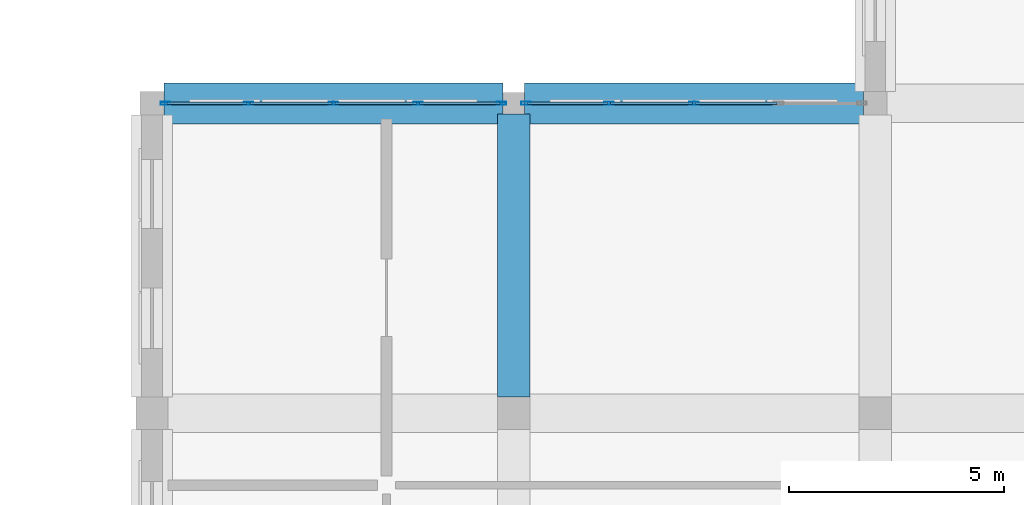
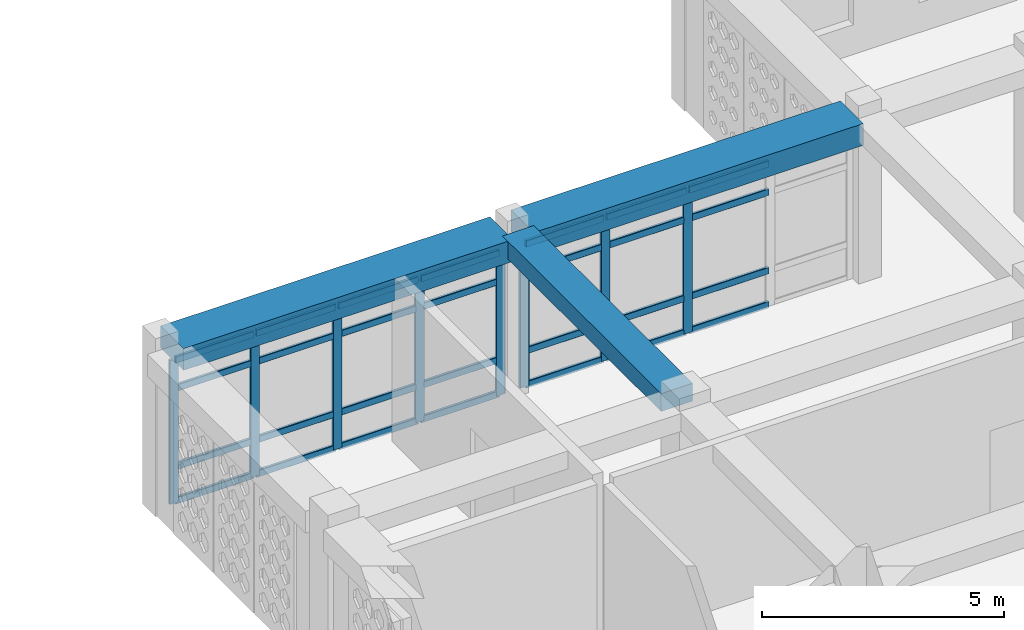
# One storey, part 41 of 121: 36 members, 3 beams, 2 elements without a shape of their own.
"""IFC4 building model written with IfcOpenShell, lengths in metres."""

import ifcopenshell
import ifcopenshell.guid

model = None  # the IFC model being written
_history = None  # IfcOwnerHistory: only IFC2X3 demands one
_inside = {}  # id of a spatial element -> (the spatial element, [elements in it])
_under = {}  # id of a project, library or spatial element -> (it, [spatial elements below it])
_declared = {}  # id of a project -> (the project, [libraries it declares])
_typed = {}  # id of a type object -> (the type object, [elements of that type])
_made_of = {}  # id of a material, layer set ... -> (it, [elements and type objects made of it])


def new_model(schema):
    """Start an empty IFC model of exactly this schema.

    Asked for "IFC4X3", IfcOpenShell would pick the latest addendum, in which some entities
    have other attributes; the version numbers below select the first issue.
    IFC2X3 requires an IfcOwnerHistory on every rooted entity: one is made here for all.
    """
    global model, _history
    if schema == "IFC4X3":
        model = ifcopenshell.file(schema_version=(4, 3, 0, 0))
    else:
        model = ifcopenshell.file(schema=schema)
    _inside.clear()
    _under.clear()
    _declared.clear()
    _typed.clear()
    _made_of.clear()
    _history = None
    if model.schema == "IFC2X3":
        org = make("IfcOrganization", Name="unknown")
        user = make(
            "IfcPersonAndOrganization",
            ThePerson=make("IfcPerson", FamilyName="unknown"),
            TheOrganization=org,
        )
        app = make(
            "IfcApplication",
            ApplicationDeveloper=org,
            Version="unknown",
            ApplicationFullName="unknown",
            ApplicationIdentifier="unknown",
        )
        _history = make(
            "IfcOwnerHistory",
            OwningUser=user,
            OwningApplication=app,
            ChangeAction="ADDED",
            CreationDate=0,
        )
    return model


def make(cls, **values):
    """One entity of the class cls with the attributes given. An attribute that is None is left unset."""
    return model.create_entity(
        cls, **{name: value for name, value in values.items() if value is not None}
    )


def rooted(cls, **values):
    """An entity with a GlobalId (a new one), such as an element, a storey or a relation."""
    return make(cls, GlobalId=ifcopenshell.guid.new(), OwnerHistory=_history, **values)


def si_unit(unit_type, name, prefix=None):
    """IfcSIUnit, for example si_unit("LENGTHUNIT", "METRE", prefix="MILLI")."""
    return make("IfcSIUnit", UnitType=unit_type, Prefix=prefix, Name=name)


def derived_unit(unit_type, elements):
    """IfcDerivedUnit: a product of units, each with its exponent."""
    return make(
        "IfcDerivedUnit",
        Elements=[
            make("IfcDerivedUnitElement", Unit=unit, Exponent=power)
            for unit, power in elements
        ],
        UnitType=unit_type,
    )


def assignment(units):
    """IfcUnitAssignment: the units of a project."""
    return None if units is None else make("IfcUnitAssignment", Units=units)


def point(xyz):
    """IfcCartesianPoint."""
    return None if xyz is None else make("IfcCartesianPoint", Coordinates=xyz)


def direction(xyz):
    """IfcDirection."""
    return None if xyz is None else make("IfcDirection", DirectionRatios=xyz)


def frame(location, z_axis=None, x_axis=None):
    """IfcAxis2Placement3D, a coordinate frame: its origin and axes. An axis left out is left unset."""
    return make(
        "IfcAxis2Placement3D",
        Location=point(location),
        Axis=direction(z_axis),
        RefDirection=direction(x_axis),
    )


def frame_2d(location, x_axis=None):
    """IfcAxis2Placement2D, a coordinate frame in the plane: its origin and x axis."""
    return make(
        "IfcAxis2Placement2D", Location=point(location), RefDirection=direction(x_axis)
    )


def origin():
    """The frame at (0, 0, 0) with its axes left unset."""
    return frame((0.0, 0.0, 0.0))


def origin_2d():
    """The frame at (0, 0) in the plane with its x axis left unset."""
    return frame_2d((0.0, 0.0))


def place(relative_to, where):
    """IfcLocalPlacement: puts the frame where relative to a parent placement (None: the world)."""
    return make(
        "IfcLocalPlacement", PlacementRelTo=relative_to, RelativePlacement=where
    )


def context(
    kind, dimensions, precision=None, world=None, true_north=None, identifier=None
):
    """IfcGeometricRepresentationContext, for example the 3D "Model" context."""
    return make(
        "IfcGeometricRepresentationContext",
        ContextIdentifier=identifier,
        ContextType=kind,
        CoordinateSpaceDimension=dimensions,
        Precision=precision,
        WorldCoordinateSystem=world,
        TrueNorth=true_north,
    )


def subcontext(parent, identifier, kind, view, scale=None):
    """IfcGeometricRepresentationSubContext, for example "Body" below "Model"."""
    return make(
        "IfcGeometricRepresentationSubContext",
        ContextIdentifier=identifier,
        ContextType=kind,
        ParentContext=parent,
        TargetScale=scale,
        TargetView=view,
    )


def project(units=None, contexts=None):
    """IfcProject with its units and contexts."""
    return rooted(
        "IfcProject",
        Name="project",
        RepresentationContexts=contexts,
        UnitsInContext=assignment(units),
    )


def spatial(cls, under=None, at=None, **own):
    """A site, building, storey or space (cls), placed at a placement, below another one or the project."""
    s = rooted(cls, ObjectPlacement=at, **own)
    if under is not None:
        _under.setdefault(under.id(), (under, []))[1].append(s)
    return s


def profile(cls, at=None, kind="AREA", **sizes):
    """A parametric profile (cls). Its sizes go by their IFC names, for example OverallWidth=200.0."""
    return make(cls, ProfileType=kind, Position=at, **sizes)


def rectangle(**sizes):
    """IfcRectangleProfileDef."""
    return profile("IfcRectangleProfileDef", **sizes)


def hollow_rectangle(**sizes):
    """IfcRectangleHollowProfileDef."""
    return profile("IfcRectangleHollowProfileDef", **sizes)


def extrude(swept, where, along, depth):
    """IfcExtrudedAreaSolid: the profile swept, set in the frame where, extruded along a direction by depth."""
    return make(
        "IfcExtrudedAreaSolid",
        SweptArea=swept,
        Position=where,
        ExtrudedDirection=direction(along),
        Depth=depth,
    )


def shape(context_of_items, identifier, shape_type, items):
    """IfcShapeRepresentation: the items that make up one representation, for example the "Body"."""
    return make(
        "IfcShapeRepresentation",
        ContextOfItems=context_of_items,
        RepresentationIdentifier=identifier,
        RepresentationType=shape_type,
        Items=items,
    )


def material(Name=None, Category=None):
    """IfcMaterial."""
    return make("IfcMaterial", Name=Name, Category=Category)


def material_profile(
    of_material, cross_section, Name=None, Category=None, Priority=None
):
    """IfcMaterialProfile: a cross section and its material."""
    return make(
        "IfcMaterialProfile",
        Name=Name,
        Material=of_material,
        Profile=cross_section,
        Priority=Priority,
        Category=Category,
    )


def profile_set(profiles, Name=None, composite=None):
    """IfcMaterialProfileSet."""
    return make(
        "IfcMaterialProfileSet",
        Name=Name,
        MaterialProfiles=profiles,
        CompositeProfile=composite,
    )


def made_of(thing, what):
    """Note that an element or type object is made of a material, layer set ...; save() writes the relation."""
    if what is not None:
        _made_of.setdefault(what.id(), (what, []))[1].append(thing)
    return thing


def type_object(cls, material=None, **own):
    """A type object (cls), such as IfcWallType, which elements share."""
    return made_of(rooted(cls, **own), material)


def element(
    cls,
    number,
    at=None,
    inside=None,
    cuts=None,
    type_object=None,
    material=None,
    context=None,
    identifier="Body",
    shape_type=None,
    held_by="IfcProductDefinitionShape",
    body=None,
    shapes=None,
    **own,
):
    """One element of the class cls, such as IfcWall. Its Tag is "e" and its number.

    at: its placement. inside: the storey or other place that contains it. cuts: it is an
    opening in that element (IfcRelVoidsElement). A single representation is given by context,
    identifier, shape_type and body (its items); several are given by shapes. held_by: the class
    of the entity that holds the representations. save() writes the other relations.
    """
    e = rooted(cls, Tag="e%d" % number, ObjectPlacement=at, **own)
    if body is not None:
        shapes = [shape(context, identifier, shape_type, body)]
    if shapes is not None:
        e.Representation = make(held_by, Representations=shapes)
    if inside is not None:
        _inside.setdefault(inside.id(), (inside, []))[1].append(e)
    if cuts is not None:
        rooted(
            "IfcRelVoidsElement", RelatingBuildingElement=cuts, RelatedOpeningElement=e
        )
    if type_object is not None:
        _typed.setdefault(type_object.id(), (type_object, []))[1].append(e)
    return made_of(e, material)


def aggregate(whole, parts):
    """IfcRelAggregates: a whole, such as a stair, and the parts it consists of."""
    return rooted("IfcRelAggregates", RelatingObject=whole, RelatedObjects=parts)


def save(model, path):
    """Write the relations noted so far, then the file.

    IfcRelAggregates (storeys below a building ...), IfcRelContainedInSpatialStructure (elements
    in a storey), IfcRelDefinesByType, IfcRelAssociatesMaterial and IfcRelDeclares: one each for
    every whole, place, type object, material and project.
    """
    for whole, parts in _under.values():
        aggregate(whole, parts)
    for where, things in _inside.values():
        rooted(
            "IfcRelContainedInSpatialStructure",
            RelatedElements=things,
            RelatingStructure=where,
        )
    for kind, things in _typed.values():
        rooted("IfcRelDefinesByType", RelatedObjects=things, RelatingType=kind)
    for what, things in _made_of.values():
        rooted("IfcRelAssociatesMaterial", RelatedObjects=things, RelatingMaterial=what)
    for by, libraries in _declared.values():
        rooted("IfcRelDeclares", RelatingContext=by, RelatedDefinitions=libraries)
    model.write(path)


model = new_model("IFC4")

# Units and contexts
model_context = context("Model", 3, precision=1e-05, world=origin(), true_north=direction((0.0, 1.0)))
body_context = subcontext(model_context, "Body", "Model", "MODEL_VIEW")
ifc_project = project(units=[si_unit("LENGTHUNIT", "METRE"), si_unit("AREAUNIT", "SQUARE_METRE"), si_unit("VOLUMEUNIT", "CUBIC_METRE"), si_unit("PLANEANGLEUNIT", "RADIAN"), si_unit("MASSUNIT", "GRAM", prefix="KILO"), derived_unit("THERMALTRANSMITTANCEUNIT", [(si_unit("POWERUNIT", "WATT"), 1), (si_unit("LENGTHUNIT", "METRE"), -2), (si_unit("THERMODYNAMICTEMPERATUREUNIT", "KELVIN"), -1)])], contexts=[model_context])

# Site, building, storey
site_placement = place(None, origin())
site = spatial("IfcSite", under=ifc_project, at=site_placement, CompositionType="ELEMENT")
building_placement = place(site_placement, origin())
building = spatial("IfcBuilding", under=site, at=building_placement, Name="Veybourne Emporium", CompositionType="ELEMENT")
storey_placement = place(building_placement, frame((0.0, 0.0, 5.39990234375)))
storey = spatial("IfcBuildingStorey", under=building, at=storey_placement, Name="L01", CompositionType="ELEMENT", Elevation=5.39990234375)

# Curtain wall, members
ifc_material_1 = material(Name="Patinated Architectural Bronze", Category="bronze")
curtain_wall_type_1 = type_object("IfcCurtainWallType", Name="CWSystem_CWS-05", PredefinedType="NOTDEFINED", material=ifc_material_1)
curtain_wall_1_placement = place(storey_placement, origin())
curtain_wall_1 = element("IfcCurtainWall", 1, at=curtain_wall_1_placement, inside=storey, type_object=curtain_wall_type_1, Name="L01 bronze glazed curtain wall CWS-05 (027)", PredefinedType="NOTDEFINED")
ifc_material_profile_1 = material_profile(ifc_material_1, hollow_rectangle(XDim=0.072021484375, YDim=0.22509765625, WallThickness=0.0048828125, InnerFilletRadius=0.007568359375, OuterFilletRadius=0.012451171875, at=origin_2d()), Name="CWM 72x225x5")
ifc_profile_set_1 = profile_set([ifc_material_profile_1], Name="Patinated Architectural Bronze")
member_type_1 = type_object("IfcMemberType", Name="CWMullion_CW-M1", PredefinedType="MULLION", material=ifc_profile_set_1)
member_1_placement = place(storey_placement, frame((42.285888671875, 108.0, 0.0), z_axis=(0.0, 0.0, 1.0), x_axis=(0.0, 1.0, 0.0)))
member_1 = element("IfcMember", 2, at=member_1_placement, type_object=member_type_1, Name="CWS-05 mullion 1", PredefinedType="MULLION", context=body_context, shape_type="SweptSolid", body=[
    extrude(hollow_rectangle(XDim=0.072021484375, YDim=0.22509765625, WallThickness=0.0048828125, InnerFilletRadius=0.007568359375, OuterFilletRadius=0.012451171875, at=origin_2d()), origin(), (0.0, 0.0, 1.0), 3.630126953125),
])
member_2_placement = place(storey_placement, frame((44.21875, 108.0, 0.0), z_axis=(0.0, 0.0, 1.0), x_axis=(0.0, 1.0, 0.0)))
member_2 = element("IfcMember", 3, at=member_2_placement, type_object=member_type_1, Name="CWS-05 mullion 2", PredefinedType="MULLION", context=body_context, shape_type="SweptSolid", body=[
    extrude(hollow_rectangle(XDim=0.072021484375, YDim=0.22509765625, WallThickness=0.0048828125, InnerFilletRadius=0.007568359375, OuterFilletRadius=0.012451171875, at=origin_2d()), origin(), (0.0, 0.0, 1.0), 3.630126953125),
])
member_3_placement = place(storey_placement, frame((46.1875, 108.0, 0.0), z_axis=(0.0, 0.0, 1.0), x_axis=(0.0, 1.0, 0.0)))
member_3 = element("IfcMember", 4, at=member_3_placement, type_object=member_type_1, Name="CWS-05 mullion 3", PredefinedType="MULLION", context=body_context, shape_type="SweptSolid", body=[
    extrude(hollow_rectangle(XDim=0.072021484375, YDim=0.22509765625, WallThickness=0.0048828125, InnerFilletRadius=0.007568359375, OuterFilletRadius=0.012451171875, at=origin_2d()), origin(), (0.0, 0.0, 1.0), 3.630126953125),
])

curtain_wall_type_2 = type_object("IfcCurtainWallType", Name="CWSystem_CWS-04", PredefinedType="NOTDEFINED", material=ifc_material_1)
curtain_wall_2_placement = place(storey_placement, origin())
curtain_wall_2 = element("IfcCurtainWall", 5, at=curtain_wall_2_placement, inside=storey, type_object=curtain_wall_type_2, Name="L01 bronze glazed curtain wall CWS-04 (024)", PredefinedType="NOTDEFINED")
ifc_material_profile_2 = material_profile(ifc_material_1, hollow_rectangle(XDim=0.070068359375, YDim=0.219970703125, WallThickness=0.0048828125, InnerFilletRadius=0.007568359375, OuterFilletRadius=0.012451171875, at=origin_2d()), Name="CWM 70x220x5")
ifc_profile_set_2 = profile_set([ifc_material_profile_2], Name="Patinated Architectural Bronze")
member_type_2 = type_object("IfcMemberType", Name="CWMullion_CW-M4", PredefinedType="MULLION", material=ifc_profile_set_2)
member_4_placement = place(storey_placement, frame((33.909912109375, 108.0, 0.0), z_axis=(0.0, 0.0, 1.0), x_axis=(0.0, 1.0, 0.0)))
member_4 = element("IfcMember", 6, at=member_4_placement, type_object=member_type_2, Name="CWS-04 mullion 1", PredefinedType="MULLION", context=body_context, shape_type="SweptSolid", body=[
    extrude(hollow_rectangle(XDim=0.070068359375, YDim=0.219970703125, WallThickness=0.0048828125, InnerFilletRadius=0.007568359375, OuterFilletRadius=0.012451171875, at=origin_2d()), origin(), (0.0, 0.0, 1.0), 3.630126953125),
])
member_5_placement = place(storey_placement, frame((35.84375, 108.0, 0.0), z_axis=(0.0, 0.0, 1.0), x_axis=(0.0, 1.0, 0.0)))
member_5 = element("IfcMember", 7, at=member_5_placement, type_object=member_type_2, Name="CWS-04 mullion 2", PredefinedType="MULLION", context=body_context, shape_type="SweptSolid", body=[
    extrude(hollow_rectangle(XDim=0.070068359375, YDim=0.219970703125, WallThickness=0.0048828125, InnerFilletRadius=0.007568359375, OuterFilletRadius=0.012451171875, at=origin_2d()), origin(), (0.0, 0.0, 1.0), 3.630126953125),
])
member_6_placement = place(storey_placement, frame((37.8125, 108.0, 0.0), z_axis=(0.0, 0.0, 1.0), x_axis=(0.0, 1.0, 0.0)))
member_6 = element("IfcMember", 8, at=member_6_placement, type_object=member_type_2, Name="CWS-04 mullion 3", PredefinedType="MULLION", context=body_context, shape_type="SweptSolid", body=[
    extrude(hollow_rectangle(XDim=0.070068359375, YDim=0.219970703125, WallThickness=0.0048828125, InnerFilletRadius=0.007568359375, OuterFilletRadius=0.012451171875, at=origin_2d()), origin(), (0.0, 0.0, 1.0), 3.630126953125),
])
member_7_placement = place(storey_placement, frame((39.78125, 108.0, 0.0), z_axis=(0.0, 0.0, 1.0), x_axis=(0.0, 1.0, 0.0)))
member_7 = element("IfcMember", 9, at=member_7_placement, type_object=member_type_2, Name="CWS-04 mullion 4", PredefinedType="MULLION", context=body_context, shape_type="SweptSolid", body=[
    extrude(hollow_rectangle(XDim=0.070068359375, YDim=0.219970703125, WallThickness=0.0048828125, InnerFilletRadius=0.007568359375, OuterFilletRadius=0.012451171875, at=origin_2d()), origin(), (0.0, 0.0, 1.0), 3.630126953125),
])
member_8_placement = place(storey_placement, frame((41.715087890625, 108.0, 0.0), z_axis=(0.0, 0.0, 1.0), x_axis=(0.0, 1.0, 0.0)))
member_8 = element("IfcMember", 10, at=member_8_placement, type_object=member_type_2, Name="CWS-04 mullion 5", PredefinedType="MULLION", context=body_context, shape_type="SweptSolid", body=[
    extrude(hollow_rectangle(XDim=0.070068359375, YDim=0.219970703125, WallThickness=0.0048828125, InnerFilletRadius=0.007568359375, OuterFilletRadius=0.012451171875, at=origin_2d()), origin(), (0.0, 0.0, 1.0), 3.630126953125),
])

# Member
ifc_material_profile_3 = material_profile(ifc_material_1, hollow_rectangle(XDim=0.072021484375, YDim=0.175048828125, WallThickness=0.0048828125, InnerFilletRadius=0.007568359375, OuterFilletRadius=0.012451171875, at=origin_2d()), Name="CWT 72x175x5")
ifc_profile_set_3 = profile_set([ifc_material_profile_3], Name="Patinated Architectural Bronze")
member_type_3 = type_object("IfcMemberType", Name="CWTransom_CW-T1", PredefinedType="NOTDEFINED", material=ifc_profile_set_3)
member_9_placement = place(storey_placement, frame((42.322021484375, 108.0, 0.0361328125), z_axis=(1.0, 0.0, 0.0), x_axis=(0.0, 1.0, 0.0)))
member_9 = element("IfcMember", 11, at=member_9_placement, type_object=member_type_3, Name="CWS-05 transom 1.1", ObjectType="TRANSOM", PredefinedType="USERDEFINED", context=body_context, shape_type="SweptSolid", body=[
    extrude(hollow_rectangle(XDim=0.072021484375, YDim=0.175048828125, WallThickness=0.0048828125, InnerFilletRadius=0.007568359375, OuterFilletRadius=0.012451171875, at=origin_2d()), origin(), (0.0, 0.0, 1.0), 1.86083984375),
])

member_10_placement = place(storey_placement, frame((42.322021484375, 108.0, 0.900146484375), z_axis=(1.0, 0.0, 0.0), x_axis=(0.0, 1.0, 0.0)))
member_10 = element("IfcMember", 12, at=member_10_placement, type_object=member_type_3, Name="CWS-05 transom 1.2", ObjectType="TRANSOM", PredefinedType="USERDEFINED", context=body_context, shape_type="SweptSolid", body=[
    extrude(hollow_rectangle(XDim=0.072021484375, YDim=0.175048828125, WallThickness=0.0048828125, InnerFilletRadius=0.007568359375, OuterFilletRadius=0.012451171875, at=origin_2d()), origin(), (0.0, 0.0, 1.0), 1.86083984375),
])

member_11_placement = place(storey_placement, frame((42.322021484375, 108.0, 2.880126953125), z_axis=(1.0, 0.0, 0.0), x_axis=(0.0, 1.0, 0.0)))
member_11 = element("IfcMember", 13, at=member_11_placement, type_object=member_type_3, Name="CWS-05 transom 1.3", ObjectType="TRANSOM", PredefinedType="USERDEFINED", context=body_context, shape_type="SweptSolid", body=[
    extrude(hollow_rectangle(XDim=0.072021484375, YDim=0.175048828125, WallThickness=0.0048828125, InnerFilletRadius=0.007568359375, OuterFilletRadius=0.012451171875, at=origin_2d()), origin(), (0.0, 0.0, 1.0), 1.86083984375),
])

member_12_placement = place(storey_placement, frame((42.322021484375, 108.0, 3.593994140625), z_axis=(1.0, 0.0, 0.0), x_axis=(0.0, 1.0, 0.0)))
member_12 = element("IfcMember", 14, at=member_12_placement, type_object=member_type_3, Name="CWS-05 transom 1.4", ObjectType="TRANSOM", PredefinedType="USERDEFINED", context=body_context, shape_type="SweptSolid", body=[
    extrude(hollow_rectangle(XDim=0.072021484375, YDim=0.175048828125, WallThickness=0.0048828125, InnerFilletRadius=0.007568359375, OuterFilletRadius=0.012451171875, at=origin_2d()), origin(), (0.0, 0.0, 1.0), 1.86083984375),
])

member_13_placement = place(storey_placement, frame((44.254638671875, 108.0, 0.0361328125), z_axis=(1.0, 0.0, 0.0), x_axis=(0.0, 1.0, 0.0)))
member_13 = element("IfcMember", 15, at=member_13_placement, type_object=member_type_3, Name="CWS-05 transom 2.1", ObjectType="TRANSOM", PredefinedType="USERDEFINED", context=body_context, shape_type="SweptSolid", body=[
    extrude(hollow_rectangle(XDim=0.072021484375, YDim=0.175048828125, WallThickness=0.0048828125, InnerFilletRadius=0.007568359375, OuterFilletRadius=0.012451171875, at=origin_2d()), origin(), (0.0, 0.0, 1.0), 1.89697265625),
])

member_14_placement = place(storey_placement, frame((44.254638671875, 108.0, 0.900146484375), z_axis=(1.0, 0.0, 0.0), x_axis=(0.0, 1.0, 0.0)))
member_14 = element("IfcMember", 16, at=member_14_placement, type_object=member_type_3, Name="CWS-05 transom 2.2", ObjectType="TRANSOM", PredefinedType="USERDEFINED", context=body_context, shape_type="SweptSolid", body=[
    extrude(hollow_rectangle(XDim=0.072021484375, YDim=0.175048828125, WallThickness=0.0048828125, InnerFilletRadius=0.007568359375, OuterFilletRadius=0.012451171875, at=origin_2d()), origin(), (0.0, 0.0, 1.0), 1.89697265625),
])

member_15_placement = place(storey_placement, frame((44.254638671875, 108.0, 2.880126953125), z_axis=(1.0, 0.0, 0.0), x_axis=(0.0, 1.0, 0.0)))
member_15 = element("IfcMember", 17, at=member_15_placement, type_object=member_type_3, Name="CWS-05 transom 2.3", ObjectType="TRANSOM", PredefinedType="USERDEFINED", context=body_context, shape_type="SweptSolid", body=[
    extrude(hollow_rectangle(XDim=0.072021484375, YDim=0.175048828125, WallThickness=0.0048828125, InnerFilletRadius=0.007568359375, OuterFilletRadius=0.012451171875, at=origin_2d()), origin(), (0.0, 0.0, 1.0), 1.89697265625),
])

member_16_placement = place(storey_placement, frame((44.254638671875, 108.0, 3.593994140625), z_axis=(1.0, 0.0, 0.0), x_axis=(0.0, 1.0, 0.0)))
member_16 = element("IfcMember", 18, at=member_16_placement, type_object=member_type_3, Name="CWS-05 transom 2.4", ObjectType="TRANSOM", PredefinedType="USERDEFINED", context=body_context, shape_type="SweptSolid", body=[
    extrude(hollow_rectangle(XDim=0.072021484375, YDim=0.175048828125, WallThickness=0.0048828125, InnerFilletRadius=0.007568359375, OuterFilletRadius=0.012451171875, at=origin_2d()), origin(), (0.0, 0.0, 1.0), 1.89697265625),
])

member_17_placement = place(storey_placement, frame((46.223388671875, 108.0, 0.0361328125), z_axis=(1.0, 0.0, 0.0), x_axis=(0.0, 1.0, 0.0)))
member_17 = element("IfcMember", 19, at=member_17_placement, type_object=member_type_3, Name="CWS-05 transom 3.1", ObjectType="TRANSOM", PredefinedType="USERDEFINED", context=body_context, shape_type="SweptSolid", body=[
    extrude(hollow_rectangle(XDim=0.072021484375, YDim=0.175048828125, WallThickness=0.0048828125, InnerFilletRadius=0.007568359375, OuterFilletRadius=0.012451171875, at=origin_2d()), origin(), (0.0, 0.0, 1.0), 1.89697265625),
])

member_18_placement = place(storey_placement, frame((46.223388671875, 108.0, 0.900146484375), z_axis=(1.0, 0.0, 0.0), x_axis=(0.0, 1.0, 0.0)))
member_18 = element("IfcMember", 20, at=member_18_placement, type_object=member_type_3, Name="CWS-05 transom 3.2", ObjectType="TRANSOM", PredefinedType="USERDEFINED", context=body_context, shape_type="SweptSolid", body=[
    extrude(hollow_rectangle(XDim=0.072021484375, YDim=0.175048828125, WallThickness=0.0048828125, InnerFilletRadius=0.007568359375, OuterFilletRadius=0.012451171875, at=origin_2d()), origin(), (0.0, 0.0, 1.0), 1.89697265625),
])

member_19_placement = place(storey_placement, frame((46.223388671875, 108.0, 2.880126953125), z_axis=(1.0, 0.0, 0.0), x_axis=(0.0, 1.0, 0.0)))
member_19 = element("IfcMember", 21, at=member_19_placement, type_object=member_type_3, Name="CWS-05 transom 3.3", ObjectType="TRANSOM", PredefinedType="USERDEFINED", context=body_context, shape_type="SweptSolid", body=[
    extrude(hollow_rectangle(XDim=0.072021484375, YDim=0.175048828125, WallThickness=0.0048828125, InnerFilletRadius=0.007568359375, OuterFilletRadius=0.012451171875, at=origin_2d()), origin(), (0.0, 0.0, 1.0), 1.89697265625),
])

member_20_placement = place(storey_placement, frame((46.223388671875, 108.0, 3.593994140625), z_axis=(1.0, 0.0, 0.0), x_axis=(0.0, 1.0, 0.0)))
member_20 = element("IfcMember", 22, at=member_20_placement, type_object=member_type_3, Name="CWS-05 transom 3.4", ObjectType="TRANSOM", PredefinedType="USERDEFINED", context=body_context, shape_type="SweptSolid", body=[
    extrude(hollow_rectangle(XDim=0.072021484375, YDim=0.175048828125, WallThickness=0.0048828125, InnerFilletRadius=0.007568359375, OuterFilletRadius=0.012451171875, at=origin_2d()), origin(), (0.0, 0.0, 1.0), 1.89697265625),
])

aggregate(curtain_wall_1, [member_1, member_2, member_3, member_9, member_10, member_11, member_12, member_13, member_14, member_15, member_16, member_17, member_18, member_19, member_20])

ifc_material_profile_4 = material_profile(ifc_material_1, hollow_rectangle(XDim=0.070068359375, YDim=0.169921875, WallThickness=0.0048828125, InnerFilletRadius=0.007568359375, OuterFilletRadius=0.012451171875, at=origin_2d()), Name="CWT 70x170x5")
ifc_profile_set_4 = profile_set([ifc_material_profile_4], Name="Patinated Architectural Bronze")
member_type_4 = type_object("IfcMemberType", Name="CWTransom_CW-T4", PredefinedType="NOTDEFINED", material=ifc_profile_set_4)
member_21_placement = place(storey_placement, frame((33.945068359375, 108.0, 0.03515625), z_axis=(1.0, 0.0, 0.0), x_axis=(0.0, 1.0, 0.0)))
member_21 = element("IfcMember", 23, at=member_21_placement, type_object=member_type_4, Name="CWS-04 transom 1.1", ObjectType="TRANSOM", PredefinedType="USERDEFINED", context=body_context, shape_type="SweptSolid", body=[
    extrude(hollow_rectangle(XDim=0.070068359375, YDim=0.169921875, WallThickness=0.0048828125, InnerFilletRadius=0.007568359375, OuterFilletRadius=0.012451171875, at=origin_2d()), origin(), (0.0, 0.0, 1.0), 1.86376953125),
])

member_22_placement = place(storey_placement, frame((33.945068359375, 108.0, 0.900146484375), z_axis=(1.0, 0.0, 0.0), x_axis=(0.0, 1.0, 0.0)))
member_22 = element("IfcMember", 24, at=member_22_placement, type_object=member_type_4, Name="CWS-04 transom 1.2", ObjectType="TRANSOM", PredefinedType="USERDEFINED", context=body_context, shape_type="SweptSolid", body=[
    extrude(hollow_rectangle(XDim=0.070068359375, YDim=0.169921875, WallThickness=0.0048828125, InnerFilletRadius=0.007568359375, OuterFilletRadius=0.012451171875, at=origin_2d()), origin(), (0.0, 0.0, 1.0), 1.86376953125),
])

member_23_placement = place(storey_placement, frame((33.945068359375, 108.0, 2.880126953125), z_axis=(1.0, 0.0, 0.0), x_axis=(0.0, 1.0, 0.0)))
member_23 = element("IfcMember", 25, at=member_23_placement, type_object=member_type_4, Name="CWS-04 transom 1.3", ObjectType="TRANSOM", PredefinedType="USERDEFINED", context=body_context, shape_type="SweptSolid", body=[
    extrude(hollow_rectangle(XDim=0.070068359375, YDim=0.169921875, WallThickness=0.0048828125, InnerFilletRadius=0.007568359375, OuterFilletRadius=0.012451171875, at=origin_2d()), origin(), (0.0, 0.0, 1.0), 1.86376953125),
])

member_24_placement = place(storey_placement, frame((33.945068359375, 108.0, 3.59521484375), z_axis=(1.0, 0.0, 0.0), x_axis=(0.0, 1.0, 0.0)))
member_24 = element("IfcMember", 26, at=member_24_placement, type_object=member_type_4, Name="CWS-04 transom 1.4", ObjectType="TRANSOM", PredefinedType="USERDEFINED", context=body_context, shape_type="SweptSolid", body=[
    extrude(hollow_rectangle(XDim=0.070068359375, YDim=0.169921875, WallThickness=0.0048828125, InnerFilletRadius=0.007568359375, OuterFilletRadius=0.012451171875, at=origin_2d()), origin(), (0.0, 0.0, 1.0), 1.86376953125),
])

member_25_placement = place(storey_placement, frame((35.878662109375, 108.0, 0.03515625), z_axis=(1.0, 0.0, 0.0), x_axis=(0.0, 1.0, 0.0)))
member_25 = element("IfcMember", 27, at=member_25_placement, type_object=member_type_4, Name="CWS-04 transom 2.1", ObjectType="TRANSOM", PredefinedType="USERDEFINED", context=body_context, shape_type="SweptSolid", body=[
    extrude(hollow_rectangle(XDim=0.070068359375, YDim=0.169921875, WallThickness=0.0048828125, InnerFilletRadius=0.007568359375, OuterFilletRadius=0.012451171875, at=origin_2d()), origin(), (0.0, 0.0, 1.0), 1.89892578125),
])

member_26_placement = place(storey_placement, frame((35.878662109375, 108.0, 0.900146484375), z_axis=(1.0, 0.0, 0.0), x_axis=(0.0, 1.0, 0.0)))
member_26 = element("IfcMember", 28, at=member_26_placement, type_object=member_type_4, Name="CWS-04 transom 2.2", ObjectType="TRANSOM", PredefinedType="USERDEFINED", context=body_context, shape_type="SweptSolid", body=[
    extrude(hollow_rectangle(XDim=0.070068359375, YDim=0.169921875, WallThickness=0.0048828125, InnerFilletRadius=0.007568359375, OuterFilletRadius=0.012451171875, at=origin_2d()), origin(), (0.0, 0.0, 1.0), 1.89892578125),
])

member_27_placement = place(storey_placement, frame((35.878662109375, 108.0, 2.880126953125), z_axis=(1.0, 0.0, 0.0), x_axis=(0.0, 1.0, 0.0)))
member_27 = element("IfcMember", 29, at=member_27_placement, type_object=member_type_4, Name="CWS-04 transom 2.3", ObjectType="TRANSOM", PredefinedType="USERDEFINED", context=body_context, shape_type="SweptSolid", body=[
    extrude(hollow_rectangle(XDim=0.070068359375, YDim=0.169921875, WallThickness=0.0048828125, InnerFilletRadius=0.007568359375, OuterFilletRadius=0.012451171875, at=origin_2d()), origin(), (0.0, 0.0, 1.0), 1.89892578125),
])

member_28_placement = place(storey_placement, frame((35.878662109375, 108.0, 3.59521484375), z_axis=(1.0, 0.0, 0.0), x_axis=(0.0, 1.0, 0.0)))
member_28 = element("IfcMember", 30, at=member_28_placement, type_object=member_type_4, Name="CWS-04 transom 2.4", ObjectType="TRANSOM", PredefinedType="USERDEFINED", context=body_context, shape_type="SweptSolid", body=[
    extrude(hollow_rectangle(XDim=0.070068359375, YDim=0.169921875, WallThickness=0.0048828125, InnerFilletRadius=0.007568359375, OuterFilletRadius=0.012451171875, at=origin_2d()), origin(), (0.0, 0.0, 1.0), 1.89892578125),
])

member_29_placement = place(storey_placement, frame((37.847412109375, 108.0, 0.03515625), z_axis=(1.0, 0.0, 0.0), x_axis=(0.0, 1.0, 0.0)))
member_29 = element("IfcMember", 31, at=member_29_placement, type_object=member_type_4, Name="CWS-04 transom 3.1", ObjectType="TRANSOM", PredefinedType="USERDEFINED", context=body_context, shape_type="SweptSolid", body=[
    extrude(hollow_rectangle(XDim=0.070068359375, YDim=0.169921875, WallThickness=0.0048828125, InnerFilletRadius=0.007568359375, OuterFilletRadius=0.012451171875, at=origin_2d()), origin(), (0.0, 0.0, 1.0), 1.89892578125),
])

member_30_placement = place(storey_placement, frame((37.847412109375, 108.0, 0.900146484375), z_axis=(1.0, 0.0, 0.0), x_axis=(0.0, 1.0, 0.0)))
member_30 = element("IfcMember", 32, at=member_30_placement, type_object=member_type_4, Name="CWS-04 transom 3.2", ObjectType="TRANSOM", PredefinedType="USERDEFINED", context=body_context, shape_type="SweptSolid", body=[
    extrude(hollow_rectangle(XDim=0.070068359375, YDim=0.169921875, WallThickness=0.0048828125, InnerFilletRadius=0.007568359375, OuterFilletRadius=0.012451171875, at=origin_2d()), origin(), (0.0, 0.0, 1.0), 1.89892578125),
])

member_31_placement = place(storey_placement, frame((37.847412109375, 108.0, 2.880126953125), z_axis=(1.0, 0.0, 0.0), x_axis=(0.0, 1.0, 0.0)))
member_31 = element("IfcMember", 33, at=member_31_placement, type_object=member_type_4, Name="CWS-04 transom 3.3", ObjectType="TRANSOM", PredefinedType="USERDEFINED", context=body_context, shape_type="SweptSolid", body=[
    extrude(hollow_rectangle(XDim=0.070068359375, YDim=0.169921875, WallThickness=0.0048828125, InnerFilletRadius=0.007568359375, OuterFilletRadius=0.012451171875, at=origin_2d()), origin(), (0.0, 0.0, 1.0), 1.89892578125),
])

member_32_placement = place(storey_placement, frame((37.847412109375, 108.0, 3.59521484375), z_axis=(1.0, 0.0, 0.0), x_axis=(0.0, 1.0, 0.0)))
member_32 = element("IfcMember", 34, at=member_32_placement, type_object=member_type_4, Name="CWS-04 transom 3.4", ObjectType="TRANSOM", PredefinedType="USERDEFINED", context=body_context, shape_type="SweptSolid", body=[
    extrude(hollow_rectangle(XDim=0.070068359375, YDim=0.169921875, WallThickness=0.0048828125, InnerFilletRadius=0.007568359375, OuterFilletRadius=0.012451171875, at=origin_2d()), origin(), (0.0, 0.0, 1.0), 1.89892578125),
])

member_33_placement = place(storey_placement, frame((39.816162109375, 108.0, 0.03515625), z_axis=(1.0, 0.0, 0.0), x_axis=(0.0, 1.0, 0.0)))
member_33 = element("IfcMember", 35, at=member_33_placement, type_object=member_type_4, Name="CWS-04 transom 4.1", ObjectType="TRANSOM", PredefinedType="USERDEFINED", context=body_context, shape_type="SweptSolid", body=[
    extrude(hollow_rectangle(XDim=0.070068359375, YDim=0.169921875, WallThickness=0.0048828125, InnerFilletRadius=0.007568359375, OuterFilletRadius=0.012451171875, at=origin_2d()), origin(), (0.0, 0.0, 1.0), 1.86376953125),
])

member_34_placement = place(storey_placement, frame((39.816162109375, 108.0, 0.900146484375), z_axis=(1.0, 0.0, 0.0), x_axis=(0.0, 1.0, 0.0)))
member_34 = element("IfcMember", 36, at=member_34_placement, type_object=member_type_4, Name="CWS-04 transom 4.2", ObjectType="TRANSOM", PredefinedType="USERDEFINED", context=body_context, shape_type="SweptSolid", body=[
    extrude(hollow_rectangle(XDim=0.070068359375, YDim=0.169921875, WallThickness=0.0048828125, InnerFilletRadius=0.007568359375, OuterFilletRadius=0.012451171875, at=origin_2d()), origin(), (0.0, 0.0, 1.0), 1.86376953125),
])

member_35_placement = place(storey_placement, frame((39.816162109375, 108.0, 2.880126953125), z_axis=(1.0, 0.0, 0.0), x_axis=(0.0, 1.0, 0.0)))
member_35 = element("IfcMember", 37, at=member_35_placement, type_object=member_type_4, Name="CWS-04 transom 4.3", ObjectType="TRANSOM", PredefinedType="USERDEFINED", context=body_context, shape_type="SweptSolid", body=[
    extrude(hollow_rectangle(XDim=0.070068359375, YDim=0.169921875, WallThickness=0.0048828125, InnerFilletRadius=0.007568359375, OuterFilletRadius=0.012451171875, at=origin_2d()), origin(), (0.0, 0.0, 1.0), 1.86376953125),
])

member_36_placement = place(storey_placement, frame((39.816162109375, 108.0, 3.59521484375), z_axis=(1.0, 0.0, 0.0), x_axis=(0.0, 1.0, 0.0)))
member_36 = element("IfcMember", 38, at=member_36_placement, type_object=member_type_4, Name="CWS-04 transom 4.4", ObjectType="TRANSOM", PredefinedType="USERDEFINED", context=body_context, shape_type="SweptSolid", body=[
    extrude(hollow_rectangle(XDim=0.070068359375, YDim=0.169921875, WallThickness=0.0048828125, InnerFilletRadius=0.007568359375, OuterFilletRadius=0.012451171875, at=origin_2d()), origin(), (0.0, 0.0, 1.0), 1.86376953125),
])

aggregate(curtain_wall_2, [member_4, member_5, member_6, member_7, member_8, member_21, member_22, member_23, member_24, member_25, member_26, member_27, member_28, member_29, member_30, member_31, member_32, member_33, member_34, member_35, member_36])

# Beams
ifc_material_2 = material(Name="Concrete C32/40", Category="concrete")
ifc_material_profile_5 = material_profile(ifc_material_2, rectangle(XDim=0.75, YDim=0.449951171875, at=origin_2d()), Name="RC 750x450")
ifc_profile_set_5 = profile_set([ifc_material_profile_5], Name="Concrete C32/40")
beam_type_1 = type_object("IfcBeamType", Name="RCBeam_BB-04", PredefinedType="BEAM", material=ifc_profile_set_5)
beam_placement = place(storey_placement, frame((42.0, 101.175048828125, 3.955078125), z_axis=(0.0, 1.0, 0.0), x_axis=(-1.0, 0.0, 0.0)))
element("IfcBeam", 39, at=beam_placement, inside=storey, type_object=beam_type_1, Name="L01 Y-grid beam BB-04 (5,14)", PredefinedType="BEAM", context=body_context, shape_type="SweptSolid", body=[
    extrude(rectangle(XDim=0.75, YDim=0.449951171875, at=origin_2d()), origin(), (0.0, 0.0, 1.0), 6.574951171875),
])
ifc_material_profile_6 = material_profile(ifc_material_2, rectangle(XDim=0.949951171875, YDim=0.550048828125, at=origin_2d()), Name="RC 950x550")
ifc_profile_set_6 = profile_set([ifc_material_profile_6], Name="Concrete C32/40")
beam_type_2 = type_object("IfcBeamType", Name="RCBeam_EB-01", PredefinedType="SPANDREL", material=ifc_profile_set_6)
for number, where, z_axis, x_axis, name in (
    (40, (33.875, 108.0, 3.905029296875), (1.0, 0.0, 0.0), (0.0, 1.0, 0.0), "L01 X-grid beam EB-01 (4,15)"),
    (41, (42.25, 108.0, 3.905029296875), (1.0, 0.0, 0.0), (0.0, 1.0, 0.0), "L01 X-grid beam EB-01 (5,15)"),
):
    element("IfcBeam", number, at=place(storey_placement, frame(where, z_axis=z_axis, x_axis=x_axis)), inside=storey, type_object=beam_type_2, Name=name, PredefinedType="SPANDREL", context=body_context, shape_type="SweptSolid", body=[
        extrude(rectangle(XDim=0.949951171875, YDim=0.550048828125, at=origin_2d()), origin(), (0.0, 0.0, 1.0), 7.875),
    ])

save(model, "model.ifc")
